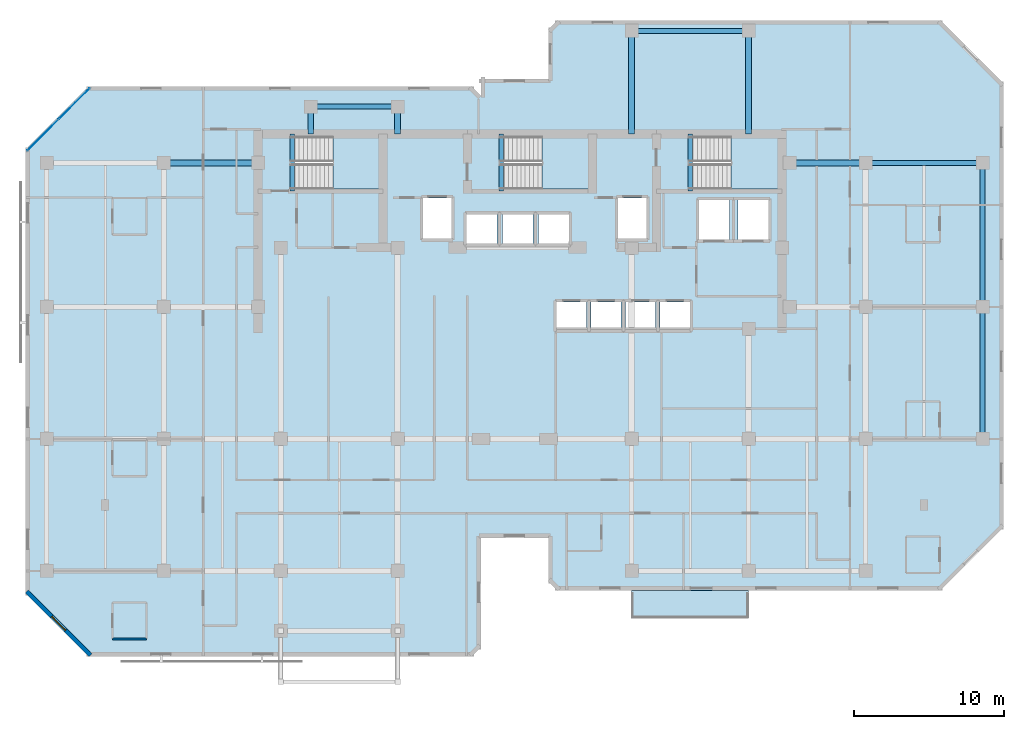
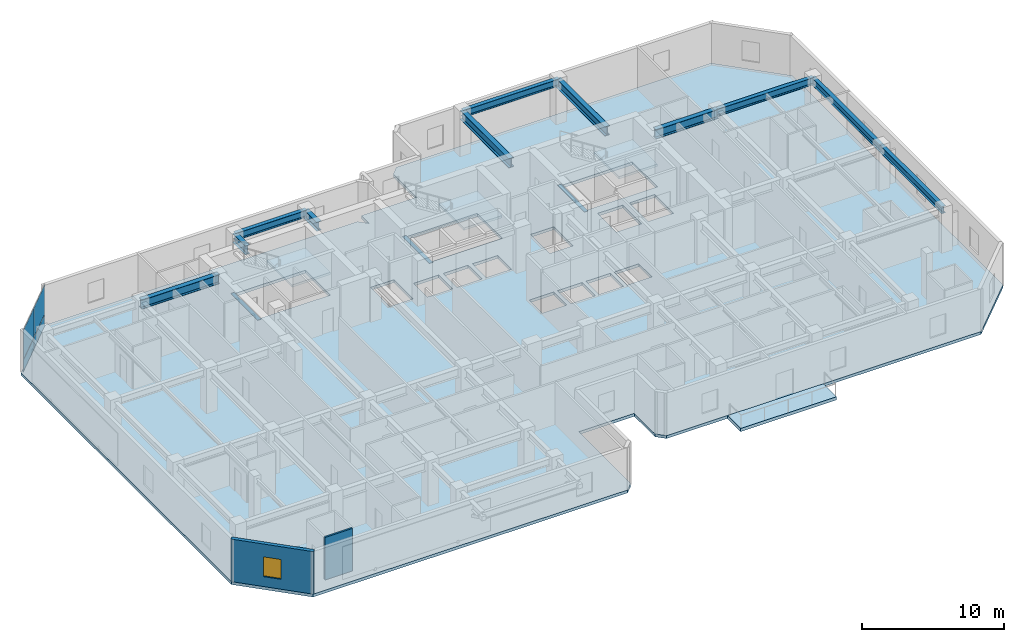
# One storey, part 3 of 10: 14 beams, 5 slabs, 4 plates, 2 walls, 1 window, 1 opening, 4 elements without a shape of their own.
"""IFC4 building model written with IfcOpenShell, lengths in metres."""

from ifc_helpers import new_model, si_unit, direction, frame, frame_2d, origin, origin_2d, place, context, subcontext, project, spatial, polyline, rectangle, i_section, outline, extrude, material, layer, layer_set, material_profile, profile_set, type_object, element, fill, aggregate, save


model = new_model("IFC4")

# Units and contexts
model_context = context("Model", 3, precision=1e-05, world=origin(), true_north=direction((0.0, 1.0)))
body_context = subcontext(model_context, "Body", "Model", "MODEL_VIEW")
ifc_project = project(units=[si_unit("LENGTHUNIT", "METRE"), si_unit("AREAUNIT", "SQUARE_METRE"), si_unit("VOLUMEUNIT", "CUBIC_METRE"), si_unit("PLANEANGLEUNIT", "RADIAN"), si_unit("MASSUNIT", "GRAM", prefix="KILO")], contexts=[model_context])

# Site, building, storey
site_placement = place(None, origin())
site = spatial("IfcSite", under=ifc_project, at=site_placement, CompositionType="ELEMENT")
building_placement = place(site_placement, origin())
building = spatial("IfcBuilding", under=site, at=building_placement, Name="Kestravale Grand Hotel", CompositionType="ELEMENT")
storey_placement = place(building_placement, frame((0.0, 0.0, 196.800048828125)))
storey = spatial("IfcBuildingStorey", under=building, at=storey_placement, Name="L49", CompositionType="ELEMENT", Elevation=196.800048828125)

# Beams
ifc_material_1 = material(Name="Concrete f'c 45 MPa", Category="concrete")
ifc_material_profile_1 = material_profile(ifc_material_1, rectangle(XDim=0.300048828125, YDim=0.39990234375, at=origin_2d()))
ifc_profile_set_1 = profile_set([ifc_material_profile_1], Name="Concrete f'c 45 MPa")
beam_type_1 = type_object("IfcBeamType", Name="B-FLR-LNT400", PredefinedType="LINTEL", material=ifc_profile_set_1)
for number, where, z_axis, x_axis, name in (
    (1, (24.159912109375, 36.52001953125, -0.199951171875), (0.0, 1.0, 0.0), (-1.0, 0.0, 0.0), "L49 ST1 flight bottom header beam"),
    (2, (38.110107421875, 36.52001953125, -0.199951171875), (0.0, 1.0, 0.0), (-1.0, 0.0, 0.0), "L49 ST2 flight bottom header beam"),
    (3, (50.7099609375, 36.52001953125, -0.199951171875), (0.0, 1.0, 0.0), (-1.0, 0.0, 0.0), "L49 ST3 flight bottom header beam"),
):
    element("IfcBeam", number, at=place(storey_placement, frame(where, z_axis=z_axis, x_axis=x_axis)), inside=storey, type_object=beam_type_1, Name=name, PredefinedType="LINTEL", context=body_context, shape_type="SweptSolid", body=[
        extrude(rectangle(XDim=0.300048828125, YDim=0.39990234375, at=origin_2d()), origin(), (0.0, 0.0, 1.0), 3.800048828125),
    ])
ifc_material_2 = material(Name="Steel ASTM A992 Grade 50", Category="steel")
ifc_material_profile_2 = material_profile(ifc_material_2, i_section(OverallWidth=0.324951171875, OverallDepth=0.612060546875, WebThickness=0.0126953125, FlangeThickness=0.01904296875, FilletRadius=0.018798828125, at=origin_2d()))
ifc_profile_set_2 = profile_set([ifc_material_profile_2], Name="Steel ASTM A992 Grade 50")
beam_type_2 = type_object("IfcBeamType", Name="B-FLR-W24A", PredefinedType="SPANDREL", material=ifc_profile_set_2)
for number, where, z_axis, x_axis, name in (
    (4, (62.39990234375, 38.39990234375, 3.343994140625), (1.0, 0.0, 0.0), (0.0, 1.0, 0.0), "L49 spandrel F:10-11"),
    (5, (46.800048828125, 47.199951171875, 3.343994140625), (1.0, 0.0, 0.0), (0.0, 1.0, 0.0), "L49 spandrel G:8-9"),
):
    element("IfcBeam", number, at=place(storey_placement, frame(where, z_axis=z_axis, x_axis=x_axis)), inside=storey, type_object=beam_type_2, Name=name, PredefinedType="SPANDREL", context=body_context, shape_type="SweptSolid", body=[
        extrude(i_section(OverallWidth=0.324951171875, OverallDepth=0.612060546875, WebThickness=0.0126953125, FlangeThickness=0.01904296875, FilletRadius=0.018798828125, at=origin_2d()), origin(), (0.0, 0.0, 1.0), 7.800048828125),
    ])
beam_1_placement = place(storey_placement, frame((25.39990234375, 42.14990234375, 3.343994140625), z_axis=(1.0, 0.0, 0.0), x_axis=(0.0, 1.0, 0.0)))
element("IfcBeam", 6, at=beam_1_placement, inside=storey, type_object=beam_type_2, Name="L49 perimeter tie spandrel FN:4-5", PredefinedType="SPANDREL", context=body_context, shape_type="SweptSolid", body=[
    extrude(i_section(OverallWidth=0.324951171875, OverallDepth=0.612060546875, WebThickness=0.0126953125, FlangeThickness=0.01904296875, FilletRadius=0.018798828125, at=origin_2d()), origin(), (0.0, 0.0, 1.0), 5.800048828125),
])
beam_2_placement = place(storey_placement, frame((70.199951171875, 20.0, 3.343994140625), z_axis=(0.0, 1.0, 0.0), x_axis=(-1.0, 0.0, 0.0)))
element("IfcBeam", 7, at=beam_2_placement, inside=storey, type_object=beam_type_2, Name="L49 spandrel 11:D-E", PredefinedType="SPANDREL", context=body_context, shape_type="SweptSolid", body=[
    extrude(i_section(OverallWidth=0.324951171875, OverallDepth=0.612060546875, WebThickness=0.0126953125, FlangeThickness=0.01904296875, FilletRadius=0.018798828125, at=origin_2d()), origin(), (0.0, 0.0, 1.0), 8.800048828125),
])
beam_3_placement = place(storey_placement, frame((70.199951171875, 28.800048828125, 3.343994140625), z_axis=(0.0, 1.0, 0.0), x_axis=(-1.0, 0.0, 0.0)))
element("IfcBeam", 8, at=beam_3_placement, inside=storey, type_object=beam_type_2, Name="L49 spandrel 11:E-F", PredefinedType="SPANDREL", context=body_context, shape_type="SweptSolid", body=[
    extrude(i_section(OverallWidth=0.324951171875, OverallDepth=0.612060546875, WebThickness=0.0126953125, FlangeThickness=0.01904296875, FilletRadius=0.018798828125, at=origin_2d()), origin(), (0.0, 0.0, 1.0), 9.599853515625),
])
ifc_material_3 = material(Name="Steel ASTM A992 Grade 50", Category="steel")
ifc_material_profile_3 = material_profile(ifc_material_3, i_section(OverallWidth=0.381103515625, OverallDepth=0.77197265625, WebThickness=0.0166015625, FlangeThickness=0.027099609375, FilletRadius=0.023681640625, at=origin_2d()))
ifc_profile_set_3 = profile_set([ifc_material_profile_3], Name="Steel ASTM A992 Grade 50")
beam_type_3 = type_object("IfcBeamType", Name="B-GRD-W30", PredefinedType="BEAM", material=ifc_profile_set_3)
beam_4_placement = place(storey_placement, frame((15.60009765625, 38.39990234375, 3.263916015625), z_axis=(1.0, 0.0, 0.0), x_axis=(0.0, 1.0, 0.0)))
element("IfcBeam", 9, at=beam_4_placement, inside=storey, type_object=beam_type_3, Name="L49 girder F:3-CW", PredefinedType="BEAM", context=body_context, shape_type="SweptSolid", body=[
    extrude(i_section(OverallWidth=0.381103515625, OverallDepth=0.77197265625, WebThickness=0.0166015625, FlangeThickness=0.027099609375, FilletRadius=0.023681640625, at=origin_2d()), origin(), (0.0, 0.0, 1.0), 6.2998046875),
])
beam_5_placement = place(storey_placement, frame((57.35009765625, 38.39990234375, 3.263916015625), z_axis=(1.0, 0.0, 0.0), x_axis=(0.0, 1.0, 0.0)))
element("IfcBeam", 10, at=beam_5_placement, inside=storey, type_object=beam_type_3, Name="L49 girder F:CE-10", PredefinedType="BEAM", context=body_context, shape_type="SweptSolid", body=[
    extrude(i_section(OverallWidth=0.381103515625, OverallDepth=0.77197265625, WebThickness=0.0166015625, FlangeThickness=0.027099609375, FilletRadius=0.023681640625, at=origin_2d()), origin(), (0.0, 0.0, 1.0), 5.0498046875),
])
for number, where, z_axis, x_axis, name in (
    (11, (25.39990234375, 40.320068359375, 3.263916015625), (0.0, 1.0, 0.0), (-1.0, 0.0, 0.0), "L49 north wing tie girder 4:CN-FN"),
    (12, (31.199951171875, 40.320068359375, 3.263916015625), (0.0, 1.0, 0.0), (-1.0, 0.0, 0.0), "L49 north wing tie girder 5:CN-FN"),
):
    element("IfcBeam", number, at=place(storey_placement, frame(where, z_axis=z_axis, x_axis=x_axis)), inside=storey, type_object=beam_type_3, Name=name, PredefinedType="BEAM", context=body_context, shape_type="SweptSolid", body=[
        extrude(i_section(OverallWidth=0.381103515625, OverallDepth=0.77197265625, WebThickness=0.0166015625, FlangeThickness=0.027099609375, FilletRadius=0.023681640625, at=origin_2d()), origin(), (0.0, 0.0, 1.0), 1.829833984375),
    ])
for number, where, z_axis, x_axis, name in (
    (13, (46.800048828125, 40.320068359375, 3.263916015625), (0.0, 1.0, 0.0), (-1.0, 0.0, 0.0), "L49 north wing tie girder 8:CN-G"),
    (14, (54.60009765625, 40.320068359375, 3.263916015625), (0.0, 1.0, 0.0), (-1.0, 0.0, 0.0), "L49 north wing tie girder 9:CN-G"),
):
    element("IfcBeam", number, at=place(storey_placement, frame(where, z_axis=z_axis, x_axis=x_axis)), inside=storey, type_object=beam_type_3, Name=name, PredefinedType="BEAM", context=body_context, shape_type="SweptSolid", body=[
        extrude(i_section(OverallWidth=0.381103515625, OverallDepth=0.77197265625, WebThickness=0.0166015625, FlangeThickness=0.027099609375, FilletRadius=0.023681640625, at=origin_2d()), origin(), (0.0, 0.0, 1.0), 6.8798828125),
    ])

# Curtain wall, plates
ifc_material_4 = material(Name="Thermally broken champagne-bronze aluminium and low-E glazing", Category="aluminium")
ifc_layer_1 = layer(ifc_material_4, 0.179931640625)
ifc_layer_set_1 = layer_set([ifc_layer_1], Name="CW-Z3")
curtain_wall_type = type_object("IfcCurtainWallType", Name="CW-Z3", PredefinedType="NOTDEFINED", material=ifc_layer_set_1)
curtain_wall_placement = place(storey_placement, origin())
curtain_wall = element("IfcCurtainWall", 15, at=curtain_wall_placement, inside=storey, type_object=curtain_wall_type, Name="L49 unitised curtain wall 18", PredefinedType="NOTDEFINED")
ifc_material_5 = material(Name="Insulated clear low-E double glazing IGU", Category="glass")
ifc_layer_2 = layer(ifc_material_5, 0.031982421875)
ifc_layer_set_2 = layer_set([ifc_layer_2], Name="CW-PNL-32")
plate_type = type_object("IfcPlateType", Name="CW-PNL-32", PredefinedType="CURTAIN_PANEL", material=ifc_layer_set_2)
plate_1_placement = place(storey_placement, frame((9.64453125, 42.3466796875, 0.06494140625), z_axis=(0.0, 0.0, 1.0), x_axis=(-0.707106781187, -0.707106781187, 0.0)))
plate_1 = element("IfcPlate", 16, at=plate_1_placement, type_object=plate_type, Name="CW-Z3 panel 1.1", PredefinedType="CURTAIN_PANEL", context=body_context, shape_type="SweptSolid", body=[
    extrude(rectangle(XDim=2.892333984375, YDim=0.031982421875, at=origin_2d()), origin(), (0.0, 0.0, 1.0), 0.952392578125),
])
plate_2_placement = place(storey_placement, frame((9.64453125, 42.3466796875, 1.08251953125), z_axis=(0.0, 0.0, 1.0), x_axis=(-0.707106781187, -0.707106781187, 0.0)))
plate_2 = element("IfcPlate", 17, at=plate_2_placement, type_object=plate_type, Name="CW-Z3 panel 1.2", PredefinedType="CURTAIN_PANEL", context=body_context, shape_type="SweptSolid", body=[
    extrude(rectangle(XDim=2.892333984375, YDim=0.031982421875, at=origin_2d()), origin(), (0.0, 0.0, 1.0), 2.50244140625),
])
plate_3_placement = place(storey_placement, frame((7.553466796875, 40.25537109375, 0.06494140625), z_axis=(0.0, 0.0, 1.0), x_axis=(-0.707106781187, -0.707106781187, 0.0)))
plate_3 = element("IfcPlate", 18, at=plate_3_placement, type_object=plate_type, Name="CW-Z3 panel 2.1", PredefinedType="CURTAIN_PANEL", context=body_context, shape_type="SweptSolid", body=[
    extrude(rectangle(XDim=2.892333984375, YDim=0.031982421875, at=origin_2d()), origin(), (0.0, 0.0, 1.0), 0.952392578125),
])
plate_4_placement = place(storey_placement, frame((7.553466796875, 40.25537109375, 1.08251953125), z_axis=(0.0, 0.0, 1.0), x_axis=(-0.707106781187, -0.707106781187, 0.0)))
plate_4 = element("IfcPlate", 19, at=plate_4_placement, type_object=plate_type, Name="CW-Z3 panel 2.2", PredefinedType="CURTAIN_PANEL", context=body_context, shape_type="SweptSolid", body=[
    extrude(rectangle(XDim=2.892333984375, YDim=0.031982421875, at=origin_2d()), origin(), (0.0, 0.0, 1.0), 2.50244140625),
])
aggregate(curtain_wall, [plate_1, plate_2, plate_3, plate_4])

# Slab
ifc_material_6 = material(Name="Concrete f'c 45 MPa", Category="concrete")
ifc_layer_3 = layer(ifc_material_6, 0.27001953125)
ifc_layer_set_3 = layer_set([ifc_layer_3], Name="ES-TERR-270")
slab_type_1 = type_object("IfcSlabType", Name="ES-TERR-270", PredefinedType="FLOOR", material=ifc_layer_set_3)
slab_1_placement = place(storey_placement, frame((0.0, 0.0, -0.27001953125)))
element("IfcSlab", 20, at=slab_1_placement, inside=storey, type_object=slab_type_1, Name="L49 spiralling planted garden terrace", PredefinedType="FLOOR", context=body_context, shape_type="SweptSolid", body=[
    extrude(outline(polyline([(46.800048828125, 8.050048828125), (54.60009765625, 8.050048828125), (54.60009765625, 9.89990234375), (46.800048828125, 9.89990234375), (46.800048828125, 8.050048828125)])), origin(), (0.0, 0.0, 1.0), 0.27001953125),
])

# Stair, slab
ifc_material_7 = material(Name="Concrete f'c 45 MPa", Category="concrete")
stair_type = type_object("IfcStairType", Name="ST-CORE-390", PredefinedType="HALF_TURN_STAIR", material=ifc_material_7)
stair_1_placement = place(storey_placement, origin())
stair_1 = element("IfcStair", 21, at=stair_1_placement, inside=storey, type_object=stair_type, Name="L49 ST-1", PredefinedType="HALF_TURN_STAIR")
ifc_material_8 = material(Name="Concrete f'c 45 MPa", Category="concrete")
ifc_layer_4 = layer(ifc_material_8, 0.199951171875)
ifc_layer_set_4 = layer_set([ifc_layer_4], Name="SLB-ST-LND200")
slab_type_2 = type_object("IfcSlabType", Name="SLB-ST-LND200", PredefinedType="LANDING", material=ifc_layer_set_4)
slab_2_placement = place(storey_placement, frame((0.0, 0.0, 1.75)))
slab_2 = element("IfcSlab", 22, at=slab_2_placement, type_object=slab_type_2, Name="ST-1 landing 1", PredefinedType="LANDING", context=body_context, shape_type="SweptSolid", body=[
    extrude(outline(polyline([(26.8798828125, 36.64990234375), (30.0, 36.64990234375), (30.0, 40.159912109375), (26.8798828125, 40.159912109375), (26.8798828125, 36.64990234375)])), origin(), (0.0, 0.0, 1.0), 0.199951171875),
])
aggregate(stair_1, [slab_2])

stair_2_placement = place(storey_placement, origin())
stair_2 = element("IfcStair", 23, at=stair_2_placement, inside=storey, type_object=stair_type, Name="L49 ST-2", PredefinedType="HALF_TURN_STAIR")
slab_3_placement = place(storey_placement, frame((0.0, 0.0, 1.75)))
slab_3 = element("IfcSlab", 24, at=slab_3_placement, type_object=slab_type_2, Name="ST-2 landing 1", PredefinedType="LANDING", context=body_context, shape_type="SweptSolid", body=[
    extrude(outline(polyline([(40.830078125, 36.64990234375), (43.949951171875, 36.64990234375), (43.949951171875, 40.159912109375), (40.830078125, 40.159912109375), (40.830078125, 36.64990234375)])), origin(), (0.0, 0.0, 1.0), 0.199951171875),
])
aggregate(stair_2, [slab_3])

stair_3_placement = place(storey_placement, origin())
stair_3 = element("IfcStair", 25, at=stair_3_placement, inside=storey, type_object=stair_type, Name="L49 ST-3", PredefinedType="HALF_TURN_STAIR")
slab_4_placement = place(storey_placement, frame((0.0, 0.0, 1.75)))
slab_4 = element("IfcSlab", 26, at=slab_4_placement, type_object=slab_type_2, Name="ST-3 landing 1", PredefinedType="LANDING", context=body_context, shape_type="SweptSolid", body=[
    extrude(outline(polyline([(53.429931640625, 36.64990234375), (56.550048828125, 36.64990234375), (56.550048828125, 40.159912109375), (53.429931640625, 40.159912109375), (53.429931640625, 36.64990234375)])), origin(), (0.0, 0.0, 1.0), 0.199951171875),
])
aggregate(stair_3, [slab_4])

# Slab
ifc_material_9 = material(Name="Concrete f'c 45 MPa", Category="concrete")
ifc_layer_5 = layer(ifc_material_9, 0.25)
ifc_layer_set_5 = layer_set([ifc_layer_5], Name="SS-FLR-250")
slab_type_3 = type_object("IfcSlabType", Name="SS-FLR-250", PredefinedType="FLOOR", material=ifc_layer_set_5)
slab_5_placement = place(storey_placement, frame((0.0, 0.0, -0.25)))
element("IfcSlab", 27, at=slab_5_placement, inside=storey, type_object=slab_type_3, Name="L49 structural floor slab", PredefinedType="FLOOR", context=body_context, shape_type="SweptSolid", body=[
    extrude(outline(polyline([(10.60009765625, 5.5), (36.14990234375, 5.5), (36.75, 6.10009765625), (36.75, 13.39990234375), (41.25, 13.39990234375), (41.25, 10.5), (41.85009765625, 9.89990234375), (67.39990234375, 9.89990234375), (71.60009765625, 14.10009765625), (71.60009765625, 43.699951171875), (67.39990234375, 47.89990234375), (41.85009765625, 47.89990234375), (41.25, 47.300048828125), (41.25, 44.0), (36.75, 44.0), (36.75, 42.89990234375), (36.14990234375, 43.5), (10.60009765625, 43.5), (6.39990234375, 39.300048828125), (6.39990234375, 9.699951171875), (10.60009765625, 5.5)]), holes=[polyline([(24.080078125, 36.64990234375), (30.0, 36.64990234375), (30.0, 40.159912109375), (24.080078125, 40.159912109375), (24.080078125, 36.64990234375)]), polyline([(38.030029296875, 36.64990234375), (43.949951171875, 36.64990234375), (43.949951171875, 40.159912109375), (38.030029296875, 40.159912109375), (38.030029296875, 36.64990234375)]), polyline([(50.6298828125, 36.64990234375), (56.550048828125, 36.64990234375), (56.550048828125, 40.159912109375), (50.6298828125, 40.159912109375), (50.6298828125, 36.64990234375)]), polyline([(41.804931640625, 27.280029296875), (43.794921875, 27.280029296875), (43.794921875, 29.1201171875), (41.804931640625, 29.1201171875), (41.804931640625, 27.280029296875)]), polyline([(44.10498046875, 27.280029296875), (46.094970703125, 27.280029296875), (46.094970703125, 29.1201171875), (44.10498046875, 29.1201171875), (44.10498046875, 27.280029296875)]), polyline([(46.405029296875, 27.280029296875), (48.39501953125, 27.280029296875), (48.39501953125, 29.1201171875), (46.405029296875, 29.1201171875), (46.405029296875, 27.280029296875)]), polyline([(48.705078125, 27.280029296875), (50.695068359375, 27.280029296875), (50.695068359375, 29.1201171875), (48.705078125, 29.1201171875), (48.705078125, 27.280029296875)]), polyline([(35.780029296875, 33.030029296875), (37.820068359375, 33.030029296875), (37.820068359375, 34.969970703125), (35.780029296875, 34.969970703125), (35.780029296875, 33.030029296875)]), polyline([(38.179931640625, 33.030029296875), (40.219970703125, 33.030029296875), (40.219970703125, 34.969970703125), (38.179931640625, 34.969970703125), (38.179931640625, 33.030029296875)]), polyline([(40.580078125, 33.030029296875), (42.6201171875, 33.030029296875), (42.6201171875, 34.969970703125), (40.580078125, 34.969970703125), (40.580078125, 33.030029296875)]), polyline([(32.905029296875, 33.35498046875), (34.794921875, 33.35498046875), (34.794921875, 36.044921875), (32.905029296875, 36.044921875), (32.905029296875, 33.35498046875)]), polyline([(45.905029296875, 33.35498046875), (47.794921875, 33.35498046875), (47.794921875, 36.044921875), (45.905029296875, 36.044921875), (45.905029296875, 33.35498046875)]), polyline([(51.280029296875, 33.280029296875), (53.320068359375, 33.280029296875), (53.320068359375, 35.919921875), (51.280029296875, 35.919921875), (51.280029296875, 33.280029296875)]), polyline([(53.8798828125, 33.280029296875), (55.919921875, 33.280029296875), (55.919921875, 35.919921875), (53.8798828125, 35.919921875), (53.8798828125, 33.280029296875)])]), origin(), (0.0, 0.0, 1.0), 0.25),
])

# Wall, opening, window
ifc_material_10 = material(Name="Precast concrete f'c 45 MPa", Category="concrete")
ifc_layer_6 = layer(ifc_material_10, 0.280029296875)
ifc_layer_set_6 = layer_set([ifc_layer_6], Name="EW-PREC-280")
wall_type_1 = type_object("IfcWallType", Name="EW-PREC-280", PredefinedType="SOLIDWALL", material=ifc_layer_set_6)
wall_1_placement = place(storey_placement, frame((6.470703125, 9.827392578125, 0.0), z_axis=(0.0, 0.0, 1.0), x_axis=(0.707106781187, -0.707106781187, 0.0)))
wall_1 = element("IfcWall", 28, at=wall_1_placement, inside=storey, type_object=wall_type_1, Name="L49 fluted precast facade wall 20", PredefinedType="SOLIDWALL", context=body_context, shape_type="SweptSolid", body=[
    extrude(rectangle(XDim=6.019775390625, YDim=0.280029296875, at=frame_2d((3.009765625, 0.0))), origin(), (0.0, 0.0, 1.0), 3.64990234375),
])
opening_placement = place(wall_1_placement, frame((2.35986328125, 0.0, 0.85009765625)))
opening = element("IfcOpeningElement", 29, at=opening_placement, cuts=wall_1, Name="Opening W-GUEST-1300", PredefinedType="OPENING", context=body_context, shape_type="SweptSolid", body=[
    extrude(rectangle(XDim=1.300048828125, YDim=1.699951171875, at=frame_2d((0.64990234375, 0.85009765625))), frame((0.0, 0.14990234375, 0.0), z_axis=(0.0, -1.0, 0.0), x_axis=(1.0, 0.0, 0.0)), (0.0, 0.0, 1.0), 0.300048828125),
])
ifc_material_11 = material(Name="Insulated low-E double glazing in aluminium frame", Category="aluminium")
window_type = type_object("IfcWindowType", Name="W-GUEST-1300", PartitioningType="SINGLE_PANEL", PredefinedType="WINDOW", material=ifc_material_11)
window_placement = place(opening_placement, origin())
window = element("IfcWindow", 30, at=window_placement, inside=storey, type_object=window_type, Name="L49 exterior window 20.1", OverallHeight=1.699951171875, OverallWidth=1.300048828125, PartitioningType="SINGLE_PANEL", PredefinedType="WINDOW", context=body_context, shape_type="SweptSolid", body=[
    extrude(rectangle(XDim=1.300048828125, YDim=1.699951171875, at=frame_2d((0.64990234375, 0.85009765625))), frame((0.0, 0.030029296875, 0.0), z_axis=(0.0, -1.0, 0.0), x_axis=(1.0, 0.0, 0.0)), (0.0, 0.0, 1.0), 0.06005859375),
])
fill(opening, window)

# Wall
ifc_material_12 = material(Name="Moisture-resistant tile-backer plumbing chase wall", Category="other")
ifc_layer_7 = layer(ifc_material_12, 0.139892578125)
ifc_layer_set_7 = layer_set([ifc_layer_7], Name="IW-PLB-140")
wall_type_2 = type_object("IfcWallType", Name="IW-PLB-140", PredefinedType="PLUMBINGWALL", material=ifc_layer_set_7)
wall_2_placement = place(storey_placement, frame((12.199951171875, 6.64990234375, 0.0), z_axis=(0.0, 0.0, 1.0), x_axis=(1.0, 0.0, 0.0)))
element("IfcWall", 31, at=wall_2_placement, inside=storey, type_object=wall_type_2, Name="W-L49-U02-BS", PredefinedType="PLUMBINGWALL", context=body_context, shape_type="SweptSolid", body=[
    extrude(rectangle(XDim=2.25, YDim=0.139892578125, at=frame_2d((1.125, 0.0))), origin(), (0.0, 0.0, 1.0), 3.64990234375),
])

save(model, "model.ifc")
